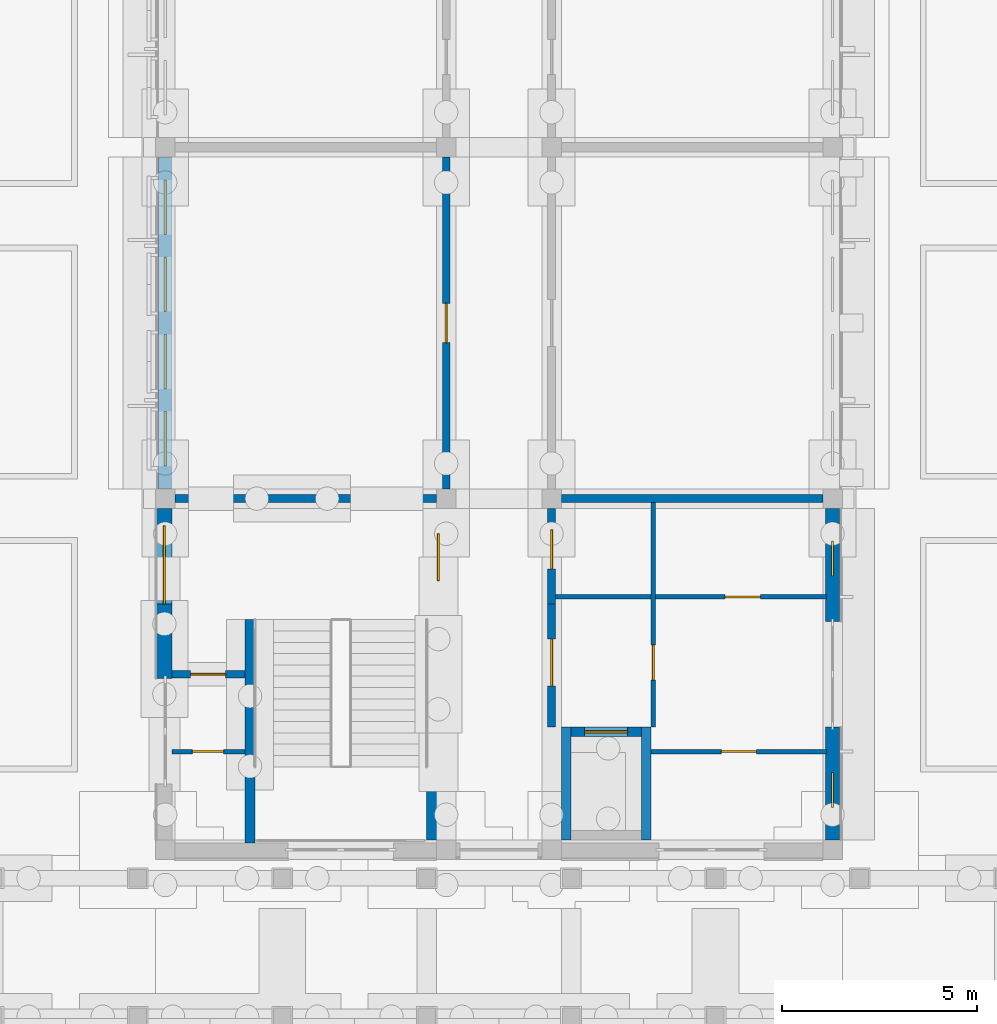
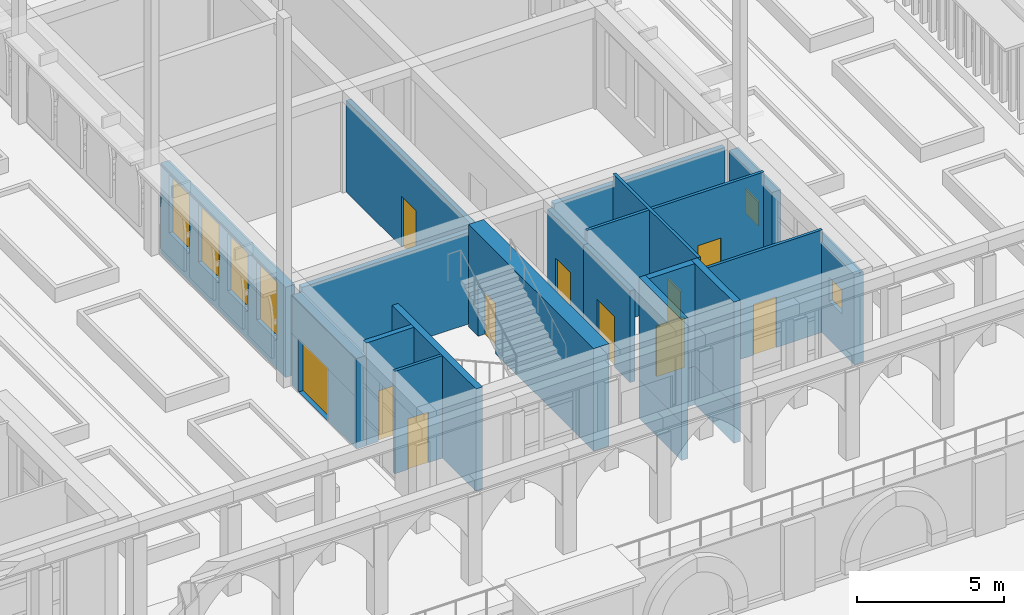
# One storey, part 60 of 161: 22 walls, 11 doors, 6 windows, 17 openings.
"""IFC4 building model written with IfcOpenShell, lengths in metres."""

from ifc_helpers import new_model, si_unit, direction, frame, frame_2d, origin, place, context, subcontext, project, spatial, rectangle, extrude, material, layer, layer_set, type_object, element, fill, save


model = new_model("IFC4")

# Units and contexts
model_context = context("Model", 3, precision=1e-05, world=origin(), true_north=direction((0.0, 1.0)))
body_context = subcontext(model_context, "Body", "Model", "MODEL_VIEW")
ifc_project = project(units=[si_unit("LENGTHUNIT", "METRE"), si_unit("AREAUNIT", "SQUARE_METRE"), si_unit("VOLUMEUNIT", "CUBIC_METRE"), si_unit("PLANEANGLEUNIT", "RADIAN"), si_unit("MASSUNIT", "GRAM", prefix="KILO")], contexts=[model_context])

# Site, building, storey
site_placement = place(None, origin())
site = spatial("IfcSite", under=ifc_project, at=site_placement, CompositionType="ELEMENT")
building_placement = place(site_placement, origin())
building = spatial("IfcBuilding", under=site, at=building_placement, Name="Elbe Cascade School", CompositionType="ELEMENT")
storey_placement = place(building_placement, origin())
storey = spatial("IfcBuildingStorey", under=building, at=storey_placement, Name="L00", CompositionType="ELEMENT", Elevation=0.0)

# Wall, opening, door
ifc_material_1 = material(Name="Masonry - lime-sand block, plastered", Category="masonry")
ifc_layer_1 = layer(ifc_material_1, 0.199951171875)
ifc_layer_set_1 = layer_set([ifc_layer_1], Name="Masonry - lime-sand block, plastered")
wall_type_1 = type_object("IfcWallType", Name="Bar corridor wall lime-sand block 200 EI 30", PredefinedType="PARTITIONING", material=ifc_layer_set_1)
wall_1_placement = place(storey_placement, frame((108.5, 12.300048828125, 0.0), z_axis=(0.0, 0.0, 1.0), x_axis=(0.0, -1.0, 0.0)))
wall_1 = element("IfcWall", 1, at=wall_1_placement, inside=storey, type_object=wall_type_1, Name="Bar corridor wall lime-sand block 200 EI 30", PredefinedType="PARTITIONING", context=body_context, shape_type="SweptSolid", body=[
    extrude(rectangle(XDim=3.150146484375, YDim=0.199951171875, at=frame_2d((1.5751953125, 0.0))), origin(), (0.0, 0.0, 1.0), 3.800048828125),
])
opening_1_placement = place(wall_1_placement, frame((0.89990234375, 0.0, 0.0)))
opening_1 = element("IfcOpeningElement", 2, at=opening_1_placement, cuts=wall_1, Name="Opening D0.041", PredefinedType="OPENING", context=body_context, shape_type="SweptSolid", body=[
    extrude(rectangle(XDim=1.199951171875, YDim=2.10009765625, at=frame_2d((0.60009765625, 1.050048828125))), frame((0.0, 0.10986328125, 0.0), z_axis=(0.0, -1.0, 0.0), x_axis=(1.0, 0.0, 0.0)), (0.0, 0.0, 1.0), 0.219970703125),
])
ifc_material_2 = material(Name="Timber door leaf, fire-resisting and smoke-tight, steel frame", Category="steel")
door_type_1 = type_object("IfcDoorType", Name="Bar door FD30S 1200x2100", OperationType="NOTDEFINED", PredefinedType="DOOR", material=ifc_material_2)
door_1_placement = place(opening_1_placement, origin())
door_1 = element("IfcDoor", 3, at=door_1_placement, inside=storey, type_object=door_type_1, Name="Door B0.06", OperationType="SINGLE_SWING_LEFT", OverallHeight=2.10009765625, OverallWidth=1.199951171875, PredefinedType="DOOR", context=body_context, shape_type="SweptSolid", body=[
    extrude(rectangle(XDim=1.199951171875, YDim=2.10009765625, at=frame_2d((0.60009765625, 1.050048828125))), frame((0.0, 0.02490234375, 0.0), z_axis=(0.0, -1.0, 0.0), x_axis=(1.0, 0.0, 0.0)), (0.0, 0.0, 1.0), 0.050048828125),
])
fill(opening_1, door_1)

wall_2_placement = place(storey_placement, frame((108.5, 12.300048828125, 0.0), z_axis=(0.0, 0.0, 1.0), x_axis=(0.0, 1.0, 0.0)))
wall_2 = element("IfcWall", 4, at=wall_2_placement, inside=storey, type_object=wall_type_1, Name="Bar corridor wall lime-sand block 200 EI 30", PredefinedType="PARTITIONING", context=body_context, shape_type="SweptSolid", body=[
    extrude(rectangle(XDim=2.449951171875, YDim=0.199951171875, at=frame_2d((1.22509765625, 0.0))), origin(), (0.0, 0.0, 1.0), 3.800048828125),
])
opening_2_placement = place(wall_2_placement, frame((0.89990234375, 0.0, 0.0)))
opening_2 = element("IfcOpeningElement", 5, at=opening_2_placement, cuts=wall_2, Name="Opening D0.046", PredefinedType="OPENING", context=body_context, shape_type="SweptSolid", body=[
    extrude(rectangle(XDim=1.0, YDim=2.10009765625, at=frame_2d((0.5, 1.050048828125))), frame((0.0, 0.10986328125, 0.0), z_axis=(0.0, -1.0, 0.0), x_axis=(1.0, 0.0, 0.0)), (0.0, 0.0, 1.0), 0.219970703125),
])
ifc_material_3 = material(Name="Timber door leaf, fire-resisting, steel frame", Category="steel")
door_type_2 = type_object("IfcDoorType", Name="Bar door FD30 1000x2100", OperationType="NOTDEFINED", PredefinedType="DOOR", material=ifc_material_3)
door_2_placement = place(opening_2_placement, origin())
door_2 = element("IfcDoor", 6, at=door_2_placement, inside=storey, type_object=door_type_2, Name="Door B0.10", OperationType="SINGLE_SWING_RIGHT", OverallHeight=2.10009765625, OverallWidth=1.0, PredefinedType="DOOR", context=body_context, shape_type="SweptSolid", body=[
    extrude(rectangle(XDim=1.0, YDim=2.10009765625, at=frame_2d((0.5, 1.050048828125))), frame((0.0, 0.02490234375, 0.0), z_axis=(0.0, -1.0, 0.0), x_axis=(1.0, 0.0, 0.0)), (0.0, 0.0, 1.0), 0.050048828125),
])
fill(opening_2, door_2)

wall_3_placement = place(storey_placement, frame((105.800048828125, 15.25, 0.0), z_axis=(0.0, 0.0, 1.0), x_axis=(0.0, 1.0, 0.0)))
wall_3 = element("IfcWall", 7, at=wall_3_placement, inside=storey, type_object=wall_type_1, Name="Bar corridor wall lime-sand block 200 EI 30", PredefinedType="PARTITIONING", context=body_context, shape_type="SweptSolid", body=[
    extrude(rectangle(XDim=8.5, YDim=0.199951171875, at=frame_2d((4.25, 0.0))), origin(), (0.0, 0.0, 1.0), 3.800048828125),
])
opening_3_placement = place(wall_3_placement, frame((3.75, 0.0, 0.0)))
opening_3 = element("IfcOpeningElement", 8, at=opening_3_placement, cuts=wall_3, Name="Opening D0.047", PredefinedType="OPENING", context=body_context, shape_type="SweptSolid", body=[
    extrude(rectangle(XDim=1.0, YDim=2.10009765625, at=frame_2d((0.5, 1.050048828125))), frame((0.0, 0.10986328125, 0.0), z_axis=(0.0, -1.0, 0.0), x_axis=(1.0, 0.0, 0.0)), (0.0, 0.0, 1.0), 0.219970703125),
])
door_3_placement = place(opening_3_placement, origin())
door_3 = element("IfcDoor", 9, at=door_3_placement, inside=storey, type_object=door_type_2, Name="Door B0.19", OperationType="SINGLE_SWING_RIGHT", OverallHeight=2.10009765625, OverallWidth=1.0, PredefinedType="DOOR", context=body_context, shape_type="SweptSolid", body=[
    extrude(rectangle(XDim=1.0, YDim=2.10009765625, at=frame_2d((0.5, 1.050048828125))), frame((0.0, 0.02490234375, 0.0), z_axis=(0.0, -1.0, 0.0), x_axis=(1.0, 0.0, 0.0)), (0.0, 0.0, 1.0), 0.050048828125),
])
fill(opening_3, door_3)

ifc_material_4 = material(Name="Masonry - lime-sand block, plastered", Category="masonry")
ifc_layer_2 = layer(ifc_material_4, 0.114990234375)
ifc_layer_set_2 = layer_set([ifc_layer_2], Name="Masonry - lime-sand block, plastered")
wall_type_2 = type_object("IfcWallType", Name="Bar light partition wall lime-sand block 115", PredefinedType="PARTITIONING", material=ifc_layer_set_2)
wall_4_placement = place(storey_placement, frame((100.64990234375, 8.52001953125, 0.0), z_axis=(0.0, 0.0, 1.0), x_axis=(-1.0, 0.0, 0.0)))
wall_4 = element("IfcWall", 10, at=wall_4_placement, inside=storey, type_object=wall_type_2, Name="Bar light partition wall lime-sand block 115", PredefinedType="PARTITIONING", context=body_context, shape_type="SweptSolid", body=[
    extrude(rectangle(XDim=1.869873046875, YDim=0.114990234375, at=frame_2d((0.93505859375, 0.0))), origin(), (0.0, 0.0, 1.0), 4.25),
])
opening_4_placement = place(wall_4_placement, frame((0.550048828125, 0.0, 0.0)))
opening_4 = element("IfcOpeningElement", 11, at=opening_4_placement, cuts=wall_4, Name="Opening D0.037", PredefinedType="OPENING", context=body_context, shape_type="SweptSolid", body=[
    extrude(rectangle(XDim=0.800048828125, YDim=2.10009765625, at=frame_2d((0.39990234375, 1.050048828125))), frame((0.0, 0.0673828125, 0.0), z_axis=(0.0, -1.0, 0.0), x_axis=(1.0, 0.0, 0.0)), (0.0, 0.0, 1.0), 0.135009765625),
])
ifc_material_5 = material(Name="Timber door leaf, steel frame", Category="steel")
door_type_3 = type_object("IfcDoorType", Name="Bar door 800x2100", OperationType="NOTDEFINED", PredefinedType="DOOR", material=ifc_material_5)
door_4_placement = place(opening_4_placement, origin())
door_4 = element("IfcDoor", 12, at=door_4_placement, inside=storey, type_object=door_type_3, Name="Door B0.05", OperationType="SINGLE_SWING_LEFT", OverallHeight=2.10009765625, OverallWidth=0.800048828125, PredefinedType="DOOR", context=body_context, shape_type="SweptSolid", body=[
    extrude(rectangle(XDim=0.800048828125, YDim=2.10009765625, at=frame_2d((0.39990234375, 1.050048828125))), frame((0.0, 0.02490234375, 0.0), z_axis=(0.0, -1.0, 0.0), x_axis=(1.0, 0.0, 0.0)), (0.0, 0.0, 1.0), 0.050048828125),
])
fill(opening_4, door_4)

wall_5_placement = place(storey_placement, frame((111.107421875, 14.89990234375, 0.0), z_axis=(0.0, 0.0, 1.0), x_axis=(0.0, -1.0, 0.0)))
wall_5 = element("IfcWall", 13, at=wall_5_placement, inside=storey, type_object=wall_type_2, Name="Bar light partition wall lime-sand block 115", PredefinedType="PARTITIONING", context=body_context, shape_type="SweptSolid", body=[
    extrude(rectangle(XDim=5.75, YDim=0.114990234375, at=frame_2d((2.875, 0.0))), origin(), (0.0, 0.0, 1.0), 4.25),
])
opening_5_placement = place(wall_5_placement, frame((3.64990234375, 0.0, 0.0)))
opening_5 = element("IfcOpeningElement", 14, at=opening_5_placement, cuts=wall_5, Name="Opening D0.042", PredefinedType="OPENING", context=body_context, shape_type="SweptSolid", body=[
    extrude(rectangle(XDim=0.89990234375, YDim=2.10009765625, at=frame_2d((0.449951171875, 1.050048828125))), frame((0.0, 0.0673828125, 0.0), z_axis=(0.0, -1.0, 0.0), x_axis=(1.0, 0.0, 0.0)), (0.0, 0.0, 1.0), 0.135009765625),
])
ifc_material_6 = material(Name="Timber door leaf, steel frame", Category="steel")
door_type_4 = type_object("IfcDoorType", Name="Bar door 900x2100", OperationType="NOTDEFINED", PredefinedType="DOOR", material=ifc_material_6)
door_5_placement = place(opening_5_placement, origin())
door_5 = element("IfcDoor", 15, at=door_5_placement, inside=storey, type_object=door_type_4, Name="Door B0.07", OperationType="SINGLE_SWING_LEFT", OverallHeight=2.10009765625, OverallWidth=0.89990234375, PredefinedType="DOOR", context=body_context, shape_type="SweptSolid", body=[
    extrude(rectangle(XDim=0.89990234375, YDim=2.10009765625, at=frame_2d((0.449951171875, 1.050048828125))), frame((0.0, 0.02490234375, 0.0), z_axis=(0.0, -1.0, 0.0), x_axis=(1.0, 0.0, 0.0)), (0.0, 0.0, 1.0), 0.050048828125),
])
fill(opening_5, door_5)

wall_6_placement = place(storey_placement, frame((115.550048828125, 8.52001953125, 0.0), z_axis=(0.0, 0.0, 1.0), x_axis=(-1.0, 0.0, 0.0)))
wall_6 = element("IfcWall", 16, at=wall_6_placement, inside=storey, type_object=wall_type_2, Name="Bar light partition wall lime-sand block 115", PredefinedType="PARTITIONING", context=body_context, shape_type="SweptSolid", body=[
    extrude(rectangle(XDim=4.5, YDim=0.114990234375, at=frame_2d((2.25, 0.0))), origin(), (0.0, 0.0, 1.0), 4.25),
])
opening_6_placement = place(wall_6_placement, frame((1.800048828125, 0.0, 0.0)))
opening_6 = element("IfcOpeningElement", 17, at=opening_6_placement, cuts=wall_6, Name="Opening D0.038", PredefinedType="OPENING", context=body_context, shape_type="SweptSolid", body=[
    extrude(rectangle(XDim=0.89990234375, YDim=2.10009765625, at=frame_2d((0.449951171875, 1.050048828125))), frame((0.0, 0.0673828125, 0.0), z_axis=(0.0, -1.0, 0.0), x_axis=(1.0, 0.0, 0.0)), (0.0, 0.0, 1.0), 0.135009765625),
])
door_6_placement = place(opening_6_placement, origin())
door_6 = element("IfcDoor", 18, at=door_6_placement, inside=storey, type_object=door_type_4, Name="Door B0.08", OperationType="SINGLE_SWING_LEFT", OverallHeight=2.10009765625, OverallWidth=0.89990234375, PredefinedType="DOOR", context=body_context, shape_type="SweptSolid", body=[
    extrude(rectangle(XDim=0.89990234375, YDim=2.10009765625, at=frame_2d((0.449951171875, 1.050048828125))), frame((0.0, 0.02490234375, 0.0), z_axis=(0.0, -1.0, 0.0), x_axis=(1.0, 0.0, 0.0)), (0.0, 0.0, 1.0), 0.050048828125),
])
fill(opening_6, door_6)

wall_7_placement = place(storey_placement, frame((108.60009765625, 12.47998046875, 0.0), z_axis=(0.0, 0.0, 1.0), x_axis=(1.0, 0.0, 0.0)))
wall_7 = element("IfcWall", 19, at=wall_7_placement, inside=storey, type_object=wall_type_2, Name="Bar light partition wall lime-sand block 115", PredefinedType="PARTITIONING", context=body_context, shape_type="SweptSolid", body=[
    extrude(rectangle(XDim=6.949951171875, YDim=0.114990234375, at=frame_2d((3.47509765625, 0.0))), origin(), (0.0, 0.0, 1.0), 4.25),
])
opening_7_placement = place(wall_7_placement, frame((4.35009765625, 0.0, 0.0)))
opening_7 = element("IfcOpeningElement", 20, at=opening_7_placement, cuts=wall_7, Name="Opening D0.043", PredefinedType="OPENING", context=body_context, shape_type="SweptSolid", body=[
    extrude(rectangle(XDim=0.89990234375, YDim=2.10009765625, at=frame_2d((0.449951171875, 1.050048828125))), frame((0.0, 0.0673828125, 0.0), z_axis=(0.0, -1.0, 0.0), x_axis=(1.0, 0.0, 0.0)), (0.0, 0.0, 1.0), 0.135009765625),
])
door_7_placement = place(opening_7_placement, origin())
door_7 = element("IfcDoor", 21, at=door_7_placement, inside=storey, type_object=door_type_4, Name="Door B0.09", OperationType="SINGLE_SWING_RIGHT", OverallHeight=2.10009765625, OverallWidth=0.89990234375, PredefinedType="DOOR", context=body_context, shape_type="SweptSolid", body=[
    extrude(rectangle(XDim=0.89990234375, YDim=2.10009765625, at=frame_2d((0.449951171875, 1.050048828125))), frame((0.0, 0.02490234375, 0.0), z_axis=(0.0, -1.0, 0.0), x_axis=(1.0, 0.0, 0.0)), (0.0, 0.0, 1.0), 0.050048828125),
])
fill(opening_7, door_7)

# Walls
ifc_material_7 = material(Name="Masonry - lime-sand block, plastered", Category="masonry")
ifc_layer_3 = layer(ifc_material_7, 0.199951171875)
ifc_layer_set_3 = layer_set([ifc_layer_3], Name="Masonry - lime-sand block, plastered")
wall_type_3 = type_object("IfcWallType", Name="Bar partition wall lime-sand block 200", PredefinedType="PARTITIONING", material=ifc_layer_set_3)
wall_8_placement = place(storey_placement, frame((108.75, 15.0, 0.0), z_axis=(0.0, 0.0, 1.0), x_axis=(1.0, 0.0, 0.0)))
element("IfcWall", 22, at=wall_8_placement, inside=storey, type_object=wall_type_3, Name="Bar partition wall lime-sand block 200", PredefinedType="PARTITIONING", context=body_context, shape_type="SweptSolid", body=[
    extrude(rectangle(XDim=6.699951171875, YDim=0.199951171875, at=frame_2d((3.35009765625, 0.0))), origin(), (0.0, 0.0, 1.0), 3.800048828125),
])
ifc_material_8 = material(Name="Concrete C30/37", Category="concrete")
ifc_layer_4 = layer(ifc_material_8, 0.25)
ifc_layer_set_4 = layer_set([ifc_layer_4], Name="Concrete C30/37")
wall_type_4 = type_object("IfcWallType", Name="Bar stair core wall RC 250", PredefinedType="SOLIDWALL", material=ifc_layer_set_4)
wall_9_placement = place(storey_placement, frame((100.77490234375, 6.179931640625, 0.0), z_axis=(0.0, 0.0, 1.0), x_axis=(0.0, 1.0, 0.0)))
element("IfcWall", 23, at=wall_9_placement, inside=storey, type_object=wall_type_4, Name="Bar stair core wall RC 250", PredefinedType="SOLIDWALL", context=body_context, shape_type="SweptSolid", body=[
    extrude(rectangle(XDim=5.719970703125, YDim=0.25, at=frame_2d((2.85986328125, 0.0))), origin(), (0.0, 0.0, 1.0), 4.25),
])

# Wall, opening, door
ifc_material_9 = material(Name="Concrete C30/37", Category="concrete")
ifc_layer_5 = layer(ifc_material_9, 0.60009765625)
ifc_layer_set_5 = layer_set([ifc_layer_5], Name="Concrete C30/37")
wall_type_5 = type_object("IfcWallType", Name="Bar stair core wall RC 600", PredefinedType="SOLIDWALL", material=ifc_layer_set_5)
wall_10_placement = place(storey_placement, frame((105.60009765625, 6.25, 0.0), z_axis=(0.0, 0.0, 1.0), x_axis=(0.0, 1.0, 0.0)))
wall_10 = element("IfcWall", 24, at=wall_10_placement, inside=storey, type_object=wall_type_5, Name="Bar stair core wall RC 600", PredefinedType="SOLIDWALL", context=body_context, shape_type="SweptSolid", body=[
    extrude(rectangle(XDim=8.5, YDim=0.60009765625, at=frame_2d((4.25, 0.0))), origin(), (0.0, 0.0, 1.0), 4.25),
])
opening_8_placement = place(wall_10_placement, frame((6.64990234375, 0.0, 0.0)))
opening_8 = element("IfcOpeningElement", 25, at=opening_8_placement, cuts=wall_10, Name="Opening D0.045", PredefinedType="OPENING", context=body_context, shape_type="SweptSolid", body=[
    extrude(rectangle(XDim=1.199951171875, YDim=2.10009765625, at=frame_2d((0.60009765625, 1.050048828125))), frame((0.0, 0.31005859375, 0.0), z_axis=(0.0, -1.0, 0.0), x_axis=(1.0, 0.0, 0.0)), (0.0, 0.0, 1.0), 0.6201171875),
])
door_8_placement = place(opening_8_placement, origin())
door_8 = element("IfcDoor", 26, at=door_8_placement, inside=storey, type_object=door_type_1, Name="Door B0.03", OperationType="SINGLE_SWING_RIGHT", OverallHeight=2.10009765625, OverallWidth=1.199951171875, PredefinedType="DOOR", context=body_context, shape_type="SweptSolid", body=[
    extrude(rectangle(XDim=1.199951171875, YDim=2.10009765625, at=frame_2d((0.60009765625, 1.050048828125))), frame((0.0, 0.02490234375, 0.0), z_axis=(0.0, -1.0, 0.0), x_axis=(1.0, 0.0, 0.0)), (0.0, 0.0, 1.0), 0.050048828125),
])
fill(opening_8, door_8)

ifc_material_10 = material(Name="Concrete C30/37", Category="concrete")
ifc_layer_6 = layer(ifc_material_10, 0.199951171875)
ifc_layer_set_6 = layer_set([ifc_layer_6], Name="Concrete C30/37")
wall_type_6 = type_object("IfcWallType", Name="Bar stair lobby wall RC 200", PredefinedType="SOLIDWALL", material=ifc_layer_set_6)
wall_11_placement = place(storey_placement, frame((100.64990234375, 10.5, 0.0), z_axis=(0.0, 0.0, 1.0), x_axis=(-1.0, 0.0, 0.0)))
wall_11 = element("IfcWall", 27, at=wall_11_placement, inside=storey, type_object=wall_type_6, Name="Bar stair lobby wall RC 200", PredefinedType="SOLIDWALL", context=body_context, shape_type="SweptSolid", body=[
    extrude(rectangle(XDim=1.869873046875, YDim=0.199951171875, at=frame_2d((0.93505859375, 0.0))), origin(), (0.0, 0.0, 1.0), 4.25),
])
opening_9_placement = place(wall_11_placement, frame((0.5, 0.0, 0.0)))
opening_9 = element("IfcOpeningElement", 28, at=opening_9_placement, cuts=wall_11, Name="Opening D0.040", PredefinedType="OPENING", context=body_context, shape_type="SweptSolid", body=[
    extrude(rectangle(XDim=0.89990234375, YDim=2.10009765625, at=frame_2d((0.449951171875, 1.050048828125))), frame((0.0, 0.10986328125, 0.0), z_axis=(0.0, -1.0, 0.0), x_axis=(1.0, 0.0, 0.0)), (0.0, 0.0, 1.0), 0.219970703125),
])
ifc_material_11 = material(Name="Timber door leaf, fire-resisting and smoke-tight, steel frame", Category="steel")
door_type_5 = type_object("IfcDoorType", Name="Bar door FD30S 900x2100", OperationType="NOTDEFINED", PredefinedType="DOOR", material=ifc_material_11)
door_9_placement = place(opening_9_placement, origin())
door_9 = element("IfcDoor", 29, at=door_9_placement, inside=storey, type_object=door_type_5, Name="Door B0.04", OperationType="SINGLE_SWING_RIGHT", OverallHeight=2.10009765625, OverallWidth=0.89990234375, PredefinedType="DOOR", context=body_context, shape_type="SweptSolid", body=[
    extrude(rectangle(XDim=0.89990234375, YDim=2.10009765625, at=frame_2d((0.449951171875, 1.050048828125))), frame((0.0, 0.02490234375, 0.0), z_axis=(0.0, -1.0, 0.0), x_axis=(1.0, 0.0, 0.0)), (0.0, 0.0, 1.0), 0.050048828125),
])
fill(opening_9, door_9)

# Wall
wall_12_placement = place(storey_placement, frame((98.85009765625, 15.0, 0.0), z_axis=(0.0, 0.0, 1.0), x_axis=(1.0, 0.0, 0.0)))
element("IfcWall", 30, at=wall_12_placement, inside=storey, type_object=wall_type_6, Name="Bar stair lobby wall RC 200", PredefinedType="SOLIDWALL", context=body_context, shape_type="SweptSolid", body=[
    extrude(rectangle(XDim=6.699951171875, YDim=0.199951171875, at=frame_2d((3.35009765625, 0.0))), origin(), (0.0, 0.0, 1.0), 3.800048828125),
])

# Wall, openings, windows
ifc_material_12 = material(Name="Brick masonry - red clinker, cavity wall with render backing", Category="masonry")
ifc_layer_7 = layer(ifc_material_12, 0.360107421875)
ifc_layer_set_7 = layer_set([ifc_layer_7], Name="Brick masonry - red clinker, cavity wall with render backing")
wall_type_7 = type_object("IfcWallType", Name="Bars envelope External wall - clinker brick cavity, 360 ground floor", PredefinedType="STANDARD", material=ifc_layer_set_7)
wall_13_placement = place(storey_placement, frame((98.60009765625, 15.25, 0.0), z_axis=(0.0, 0.0, 1.0), x_axis=(0.0, 1.0, 0.0)))
wall_13 = element("IfcWall", 31, at=wall_13_placement, inside=storey, type_object=wall_type_7, Name="External wall W29 B.L00.w2", PredefinedType="STANDARD", context=body_context, shape_type="SweptSolid", body=[
    extrude(rectangle(XDim=8.5, YDim=0.360107421875, at=frame_2d((4.25, 0.0))), origin(), (0.0, 0.0, 1.0), 3.75),
])
opening_10_placement = place(wall_13_placement, frame((0.580078125, 0.0, 1.199951171875)))
opening_10 = element("IfcOpeningElement", 32, at=opening_10_placement, cuts=wall_13, Name="Opening W0.017", PredefinedType="OPENING", context=body_context, shape_type="SweptSolid", body=[
    extrude(rectangle(XDim=1.39990234375, YDim=2.39990234375, at=frame_2d((0.699951171875, 1.199951171875))), frame((0.0, 0.18994140625, 0.0), z_axis=(0.0, -1.0, 0.0), x_axis=(1.0, 0.0, 0.0)), (0.0, 0.0, 1.0), 0.380126953125),
])
opening_11_placement = place(wall_13_placement, frame((2.56005859375, 0.0, 1.199951171875)))
opening_11 = element("IfcOpeningElement", 33, at=opening_11_placement, cuts=wall_13, Name="Opening W0.019", PredefinedType="OPENING", context=body_context, shape_type="SweptSolid", body=[
    extrude(rectangle(XDim=1.39990234375, YDim=2.39990234375, at=frame_2d((0.699951171875, 1.199951171875))), frame((0.0, 0.18994140625, 0.0), z_axis=(0.0, -1.0, 0.0), x_axis=(1.0, 0.0, 0.0)), (0.0, 0.0, 1.0), 0.380126953125),
])
opening_12_placement = place(wall_13_placement, frame((4.5400390625, 0.0, 1.199951171875)))
opening_12 = element("IfcOpeningElement", 34, at=opening_12_placement, cuts=wall_13, Name="Opening W0.021", PredefinedType="OPENING", context=body_context, shape_type="SweptSolid", body=[
    extrude(rectangle(XDim=1.39990234375, YDim=2.39990234375, at=frame_2d((0.699951171875, 1.199951171875))), frame((0.0, 0.18994140625, 0.0), z_axis=(0.0, -1.0, 0.0), x_axis=(1.0, 0.0, 0.0)), (0.0, 0.0, 1.0), 0.380126953125),
])
opening_13_placement = place(wall_13_placement, frame((6.52001953125, 0.0, 1.199951171875)))
opening_13 = element("IfcOpeningElement", 35, at=opening_13_placement, cuts=wall_13, Name="Opening W0.023", PredefinedType="OPENING", context=body_context, shape_type="SweptSolid", body=[
    extrude(rectangle(XDim=1.39990234375, YDim=2.39990234375, at=frame_2d((0.699951171875, 1.199951171875))), frame((0.0, 0.18994140625, 0.0), z_axis=(0.0, -1.0, 0.0), x_axis=(1.0, 0.0, 0.0)), (0.0, 0.0, 1.0), 0.380126953125),
])
ifc_material_13 = material(Name="Aluminium frame with double glazing, bronze anodised", Category="aluminium")
window_type_1 = type_object("IfcWindowType", Name="Bars envelope Window 1400 x 2400, music and art studio, high sill, aluminium double glazed", PartitioningType="DOUBLE_PANEL_VERTICAL", PredefinedType="WINDOW", material=ifc_material_13)
window_1_placement = place(opening_10_placement, origin())
window_1 = element("IfcWindow", 36, at=window_1_placement, inside=storey, type_object=window_type_1, Name="Window WN11 B.L00.w2.1", OverallHeight=2.39990234375, OverallWidth=1.39990234375, PartitioningType="DOUBLE_PANEL_VERTICAL", PredefinedType="WINDOW", context=body_context, shape_type="SweptSolid", body=[
    extrude(rectangle(XDim=1.39990234375, YDim=2.39990234375, at=frame_2d((0.699951171875, 1.199951171875))), frame((0.0, 0.030029296875, 0.0), z_axis=(0.0, -1.0, 0.0), x_axis=(1.0, 0.0, 0.0)), (0.0, 0.0, 1.0), 0.06005859375),
])
fill(opening_10, window_1)
window_2_placement = place(opening_11_placement, origin())
window_2 = element("IfcWindow", 37, at=window_2_placement, inside=storey, type_object=window_type_1, Name="Window WN11 B.L00.w2.2", OverallHeight=2.39990234375, OverallWidth=1.39990234375, PartitioningType="DOUBLE_PANEL_VERTICAL", PredefinedType="WINDOW", context=body_context, shape_type="SweptSolid", body=[
    extrude(rectangle(XDim=1.39990234375, YDim=2.39990234375, at=frame_2d((0.699951171875, 1.199951171875))), frame((0.0, 0.030029296875, 0.0), z_axis=(0.0, -1.0, 0.0), x_axis=(1.0, 0.0, 0.0)), (0.0, 0.0, 1.0), 0.06005859375),
])
fill(opening_11, window_2)
window_3_placement = place(opening_12_placement, origin())
window_3 = element("IfcWindow", 38, at=window_3_placement, inside=storey, type_object=window_type_1, Name="Window WN11 B.L00.w2.3", OverallHeight=2.39990234375, OverallWidth=1.39990234375, PartitioningType="DOUBLE_PANEL_VERTICAL", PredefinedType="WINDOW", context=body_context, shape_type="SweptSolid", body=[
    extrude(rectangle(XDim=1.39990234375, YDim=2.39990234375, at=frame_2d((0.699951171875, 1.199951171875))), frame((0.0, 0.030029296875, 0.0), z_axis=(0.0, -1.0, 0.0), x_axis=(1.0, 0.0, 0.0)), (0.0, 0.0, 1.0), 0.06005859375),
])
fill(opening_12, window_3)
window_4_placement = place(opening_13_placement, origin())
window_4 = element("IfcWindow", 39, at=window_4_placement, inside=storey, type_object=window_type_1, Name="Window WN11 B.L00.w2.4", OverallHeight=2.39990234375, OverallWidth=1.39990234375, PartitioningType="DOUBLE_PANEL_VERTICAL", PredefinedType="WINDOW", context=body_context, shape_type="SweptSolid", body=[
    extrude(rectangle(XDim=1.39990234375, YDim=2.39990234375, at=frame_2d((0.699951171875, 1.199951171875))), frame((0.0, 0.030029296875, 0.0), z_axis=(0.0, -1.0, 0.0), x_axis=(1.0, 0.0, 0.0)), (0.0, 0.0, 1.0), 0.06005859375),
])
fill(opening_13, window_4)

# Wall, opening, window
wall_14_placement = place(storey_placement, frame((115.699951171875, 9.14990234375, 0.0), z_axis=(0.0, 0.0, 1.0), x_axis=(0.0, -1.0, 0.0)))
wall_14 = element("IfcWall", 40, at=wall_14_placement, inside=storey, type_object=wall_type_7, Name="External wall W29 B.L00.e1a", PredefinedType="STANDARD", context=body_context, shape_type="SweptSolid", body=[
    extrude(rectangle(XDim=2.89990234375, YDim=0.360107421875, at=frame_2d((1.449951171875, 0.0))), origin(), (0.0, 0.0, 1.0), 3.75),
])
opening_14_placement = place(wall_14_placement, frame((1.169921875, 0.0, 1.60009765625)))
opening_14 = element("IfcOpeningElement", 41, at=opening_14_placement, cuts=wall_14, Name="Opening W0.015", PredefinedType="OPENING", context=body_context, shape_type="SweptSolid", body=[
    extrude(rectangle(XDim=0.89990234375, YDim=1.0, at=frame_2d((0.449951171875, 0.5))), frame((0.0, 0.18994140625, 0.0), z_axis=(0.0, -1.0, 0.0), x_axis=(1.0, 0.0, 0.0)), (0.0, 0.0, 1.0), 0.380126953125),
])
ifc_material_14 = material(Name="Aluminium frame with double glazing, bronze anodised", Category="aluminium")
window_type_2 = type_object("IfcWindowType", Name="Bars envelope Window 900 x 1000, WC and service room, high level, aluminium double glazed", PartitioningType="SINGLE_PANEL", PredefinedType="WINDOW", material=ifc_material_14)
window_5_placement = place(opening_14_placement, origin())
window_5 = element("IfcWindow", 42, at=window_5_placement, inside=storey, type_object=window_type_2, Name="Window WN4 B.L00.e1a.1", OverallHeight=1.0, OverallWidth=0.89990234375, PartitioningType="SINGLE_PANEL", PredefinedType="WINDOW", context=body_context, shape_type="SweptSolid", body=[
    extrude(rectangle(XDim=0.89990234375, YDim=1.0, at=frame_2d((0.449951171875, 0.5))), frame((0.0, 0.030029296875, 0.0), z_axis=(0.0, -1.0, 0.0), x_axis=(1.0, 0.0, 0.0)), (0.0, 0.0, 1.0), 0.06005859375),
])
fill(opening_14, window_5)

wall_15_placement = place(storey_placement, frame((115.699951171875, 14.75, 0.0), z_axis=(0.0, 0.0, 1.0), x_axis=(0.0, -1.0, 0.0)))
wall_15 = element("IfcWall", 43, at=wall_15_placement, inside=storey, type_object=wall_type_7, Name="External wall W29 B.L00.e1b", PredefinedType="STANDARD", context=body_context, shape_type="SweptSolid", body=[
    extrude(rectangle(XDim=2.89990234375, YDim=0.360107421875, at=frame_2d((1.449951171875, 0.0))), origin(), (0.0, 0.0, 1.0), 3.75),
])
opening_15_placement = place(wall_15_placement, frame((0.830078125, 0.0, 1.60009765625)))
opening_15 = element("IfcOpeningElement", 44, at=opening_15_placement, cuts=wall_15, Name="Opening W0.016", PredefinedType="OPENING", context=body_context, shape_type="SweptSolid", body=[
    extrude(rectangle(XDim=0.89990234375, YDim=1.0, at=frame_2d((0.449951171875, 0.5))), frame((0.0, 0.18994140625, 0.0), z_axis=(0.0, -1.0, 0.0), x_axis=(1.0, 0.0, 0.0)), (0.0, 0.0, 1.0), 0.380126953125),
])
window_6_placement = place(opening_15_placement, origin())
window_6 = element("IfcWindow", 45, at=window_6_placement, inside=storey, type_object=window_type_2, Name="Window WN4 B.L00.e1b.1", OverallHeight=1.0, OverallWidth=0.89990234375, PartitioningType="SINGLE_PANEL", PredefinedType="WINDOW", context=body_context, shape_type="SweptSolid", body=[
    extrude(rectangle(XDim=0.89990234375, YDim=1.0, at=frame_2d((0.449951171875, 0.5))), frame((0.0, 0.030029296875, 0.0), z_axis=(0.0, -1.0, 0.0), x_axis=(1.0, 0.0, 0.0)), (0.0, 0.0, 1.0), 0.06005859375),
])
fill(opening_15, window_6)

# Wall, opening, door
ifc_material_15 = material(Name="Brick masonry - red clinker, solid, sandstone-faced", Category="masonry")
ifc_layer_8 = layer(ifc_material_15, 0.39990234375)
ifc_layer_set_8 = layer_set([ifc_layer_8], Name="Brick masonry - red clinker, solid, sandstone-faced")
wall_type_8 = type_object("IfcWallType", Name="Bars envelope External wall - solid masonry core strip, sandstone faced, 400", PredefinedType="STANDARD", material=ifc_layer_set_8)
wall_16_placement = place(storey_placement, frame((98.580078125, 10.389892578125, 0.0), z_axis=(0.0, 0.0, 1.0), x_axis=(0.0, 1.0, 0.0)))
wall_16 = element("IfcWall", 46, at=wall_16_placement, inside=storey, type_object=wall_type_8, Name="External wall W31 B.L00.w1b", PredefinedType="STANDARD", context=body_context, shape_type="SweptSolid", body=[
    extrude(rectangle(XDim=4.360107421875, YDim=0.39990234375, at=frame_2d((2.18017578125, 0.0))), origin(), (0.0, 0.0, 1.0), 3.75),
])
opening_16_placement = place(wall_16_placement, frame((1.909912109375, 0.0, 0.0)))
opening_16 = element("IfcOpeningElement", 47, at=opening_16_placement, cuts=wall_16, Name="Opening D0.044", PredefinedType="OPENING", context=body_context, shape_type="SweptSolid", body=[
    extrude(rectangle(XDim=2.0, YDim=2.199951171875, at=frame_2d((1.0, 1.10009765625))), frame((0.0, 0.2099609375, 0.0), z_axis=(0.0, -1.0, 0.0), x_axis=(1.0, 0.0, 0.0)), (0.0, 0.0, 1.0), 0.419921875),
])
ifc_material_16 = material(Name="Steel door set, fire resisting", Category="steel")
door_type_6 = type_object("IfcDoorType", Name="Bars envelope Stair exit door, double leaf, 2000 x 2200, fire resisting", OperationType="DOUBLE_DOOR_SINGLE_SWING", PredefinedType="DOOR", material=ifc_material_16)
door_10_placement = place(opening_16_placement, origin())
door_10 = element("IfcDoor", 48, at=door_10_placement, inside=storey, type_object=door_type_6, Name="Stair exit door D12 B.L00.w1b", OperationType="DOUBLE_DOOR_SINGLE_SWING", OverallHeight=2.199951171875, OverallWidth=2.0, PredefinedType="DOOR", context=body_context, shape_type="SweptSolid", body=[
    extrude(rectangle(XDim=2.0, YDim=2.199951171875, at=frame_2d((1.0, 1.10009765625))), frame((0.0, 0.02490234375, 0.0), z_axis=(0.0, -1.0, 0.0), x_axis=(1.0, 0.0, 0.0)), (0.0, 0.0, 1.0), 0.050048828125),
])
fill(opening_16, door_10)

# Walls
ifc_material_17 = material(Name="Concrete C30/37", Category="concrete")
ifc_layer_9 = layer(ifc_material_17, 0.25)
ifc_layer_set_9 = layer_set([ifc_layer_9], Name="Concrete C30/37")
wall_type_9 = type_object("IfcWallType", Name="Shaft wall 250", PredefinedType="SHEAR", material=ifc_layer_set_9)
for number, where, z_axis, x_axis, name in (
    (49, (108.875, 6.25, 0.0), (0.0, 0.0, 1.0), (0.0, 1.0, 0.0), "Shaft wall 250 W1"),
    (50, (110.925048828125, 6.25, 0.0), (0.0, 0.0, 1.0), (0.0, 1.0, 0.0), "Shaft wall 250 W1"),
):
    element("IfcWall", number, at=place(storey_placement, frame(where, z_axis=z_axis, x_axis=x_axis)), inside=storey, type_object=wall_type_9, Name=name, PredefinedType="SHEAR", context=body_context, shape_type="SweptSolid", body=[
        extrude(rectangle(XDim=2.89990234375, YDim=0.25, at=frame_2d((1.449951171875, 0.0))), origin(), (0.0, 0.0, 1.0), 4.25),
    ])

# Wall, opening, door
wall_17_placement = place(storey_placement, frame((109.0, 9.02490234375, 0.0), z_axis=(0.0, 0.0, 1.0), x_axis=(1.0, 0.0, 0.0)))
wall_17 = element("IfcWall", 51, at=wall_17_placement, inside=storey, type_object=wall_type_9, Name="Shaft wall 250 W1", PredefinedType="SHEAR", context=body_context, shape_type="SweptSolid", body=[
    extrude(rectangle(XDim=1.800048828125, YDim=0.25, at=frame_2d((0.89990234375, 0.0))), origin(), (0.0, 0.0, 1.0), 4.25),
])
opening_17_placement = place(wall_17_placement, frame((0.35009765625, 0.0, 0.0)))
opening_17 = element("IfcOpeningElement", 52, at=opening_17_placement, cuts=wall_17, Name="Opening D0.039", PredefinedType="OPENING", context=body_context, shape_type="SweptSolid", body=[
    extrude(rectangle(XDim=1.10009765625, YDim=2.10009765625, at=frame_2d((0.550048828125, 1.050048828125))), frame((0.0, 0.135009765625, 0.0), z_axis=(0.0, -1.0, 0.0), x_axis=(1.0, 0.0, 0.0)), (0.0, 0.0, 1.0), 0.27001953125),
])
ifc_material_18 = material(Name="Stainless steel sliding door leaf", Category="steel")
door_type_7 = type_object("IfcDoorType", Name="Bar lift landing door 1100x2100", OperationType="SLIDING_TO_LEFT", PredefinedType="DOOR", material=ifc_material_18)
door_11_placement = place(opening_17_placement, origin())
door_11 = element("IfcDoor", 53, at=door_11_placement, inside=storey, type_object=door_type_7, Name="Lift landing door LDB0.1", OperationType="SLIDING_TO_LEFT", OverallHeight=2.10009765625, OverallWidth=1.10009765625, PredefinedType="DOOR", context=body_context, shape_type="SweptSolid", body=[
    extrude(rectangle(XDim=1.10009765625, YDim=2.10009765625, at=frame_2d((0.550048828125, 1.050048828125))), frame((0.0, 0.02490234375, 0.0), z_axis=(0.0, -1.0, 0.0), x_axis=(1.0, 0.0, 0.0)), (0.0, 0.0, 1.0), 0.050048828125),
])
fill(opening_17, door_11)

# Walls
for number, where, z_axis, x_axis, name in (
    (54, (108.875, 6.25, -1.60009765625), (0.0, 0.0, 1.0), (0.0, 1.0, 0.0), "Shaft wall 250 W1"),
    (55, (110.925048828125, 6.25, -1.60009765625), (0.0, 0.0, 1.0), (0.0, 1.0, 0.0), "Shaft wall 250 W1"),
):
    element("IfcWall", number, at=place(storey_placement, frame(where, z_axis=z_axis, x_axis=x_axis)), inside=storey, type_object=wall_type_9, Name=name, PredefinedType="SHEAR", context=body_context, shape_type="SweptSolid", body=[
        extrude(rectangle(XDim=2.89990234375, YDim=0.25, at=frame_2d((1.449951171875, 0.0))), origin(), (0.0, 0.0, 1.0), 1.60009765625),
    ])
wall_18_placement = place(storey_placement, frame((109.0, 9.02490234375, -1.60009765625), z_axis=(0.0, 0.0, 1.0), x_axis=(1.0, 0.0, 0.0)))
element("IfcWall", 56, at=wall_18_placement, inside=storey, type_object=wall_type_9, Name="Shaft wall 250 W1", PredefinedType="SHEAR", context=body_context, shape_type="SweptSolid", body=[
    extrude(rectangle(XDim=1.800048828125, YDim=0.25, at=frame_2d((0.89990234375, 0.0))), origin(), (0.0, 0.0, 1.0), 1.60009765625),
])

save(model, "model.ifc")
